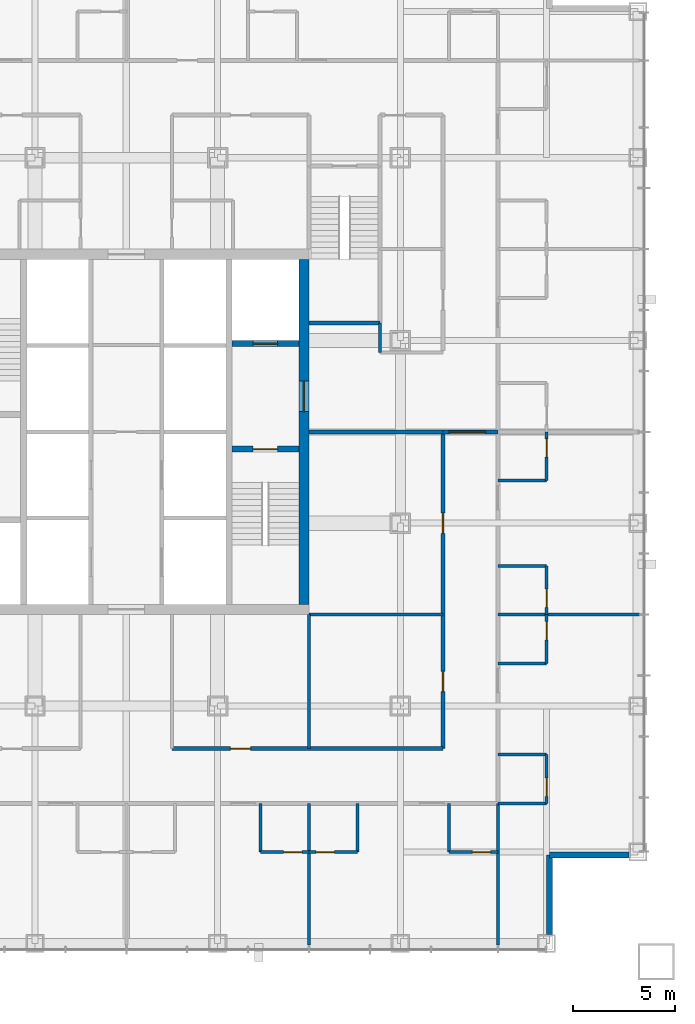
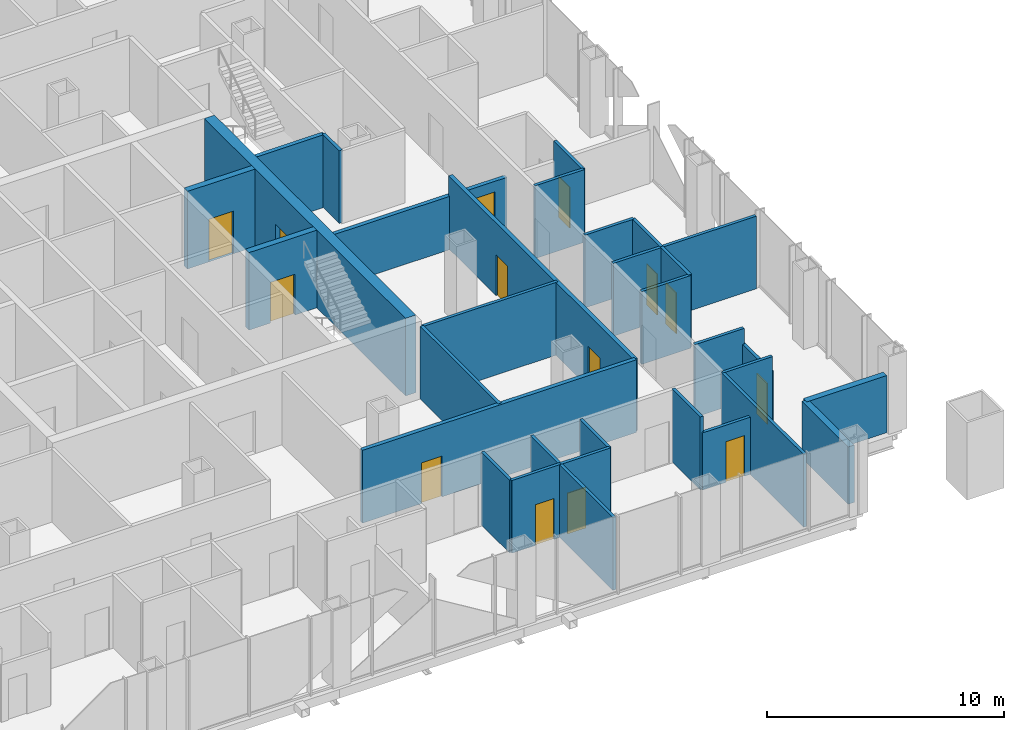
# One storey, part 9 of 13: 31 walls, 14 doors, 14 openings.
"""IFC4 building model written with IfcOpenShell, lengths in metres."""

from ifc_helpers import new_model, si_unit, direction, frame, frame_2d, origin, place, context, subcontext, project, spatial, rectangle, extrude, material, layer, layer_set, type_object, element, fill, save


model = new_model("IFC4")

# Units and contexts
model_context = context("Model", 3, precision=1e-05, world=origin(), true_north=direction((0.0, 1.0)))
body_context = subcontext(model_context, "Body", "Model", "MODEL_VIEW")
ifc_project = project(units=[si_unit("LENGTHUNIT", "METRE"), si_unit("AREAUNIT", "SQUARE_METRE"), si_unit("VOLUMEUNIT", "CUBIC_METRE"), si_unit("PLANEANGLEUNIT", "RADIAN"), si_unit("MASSUNIT", "GRAM", prefix="KILO")], contexts=[model_context])

# Site, building, storey
site_placement = place(None, origin())
site = spatial("IfcSite", under=ifc_project, at=site_placement, CompositionType="ELEMENT")
building_placement = place(site_placement, origin())
building = spatial("IfcBuilding", under=site, at=building_placement, Name="Malebo Sky Hospital", CompositionType="ELEMENT")
storey_placement = place(building_placement, frame((0.0, 0.0, 43.0)))
storey = spatial("IfcBuildingStorey", under=building, at=storey_placement, Name="L09", CompositionType="ELEMENT", Elevation=43.0)

# Wall, opening, door
ifc_material_1 = material(Name="Concrete C80/95", Category="concrete")
ifc_layer_1 = layer(ifc_material_1, 0.300048828125)
ifc_layer_set_1 = layer_set([ifc_layer_1], Name="CORE INNER WALL 300")
wall_type_1 = type_object("IfcWallType", Name="CORE INNER WALL 300", PredefinedType="SHEAR", material=ifc_layer_set_1)
wall_1_placement = place(storey_placement, frame((65.199951171875, 61.14990234375, 0.0), z_axis=(0.0, 0.0, 1.0), x_axis=(1.0, 0.0, 0.0)))
wall_1 = element("IfcWall", 1, at=wall_1_placement, inside=storey, type_object=wall_type_1, Name="Core wall E1 L09", PredefinedType="SHEAR", context=body_context, shape_type="SweptSolid", body=[
    extrude(rectangle(XDim=3.300048828125, YDim=0.300048828125, at=frame_2d((1.64990234375, 0.0))), origin(), (0.0, 0.0, 1.0), 4.0),
])
opening_1_placement = place(wall_1_placement, frame((1.050048828125, 0.0, 0.0)))
opening_1 = element("IfcOpeningElement", 2, at=opening_1_placement, cuts=wall_1, Name="Opening D08", PredefinedType="OPENING", context=body_context, shape_type="SweptSolid", body=[
    extrude(rectangle(XDim=1.199951171875, YDim=2.10009765625, at=frame_2d((0.60009765625, 1.050048828125))), frame((0.0, 0.159912109375, 0.0), z_axis=(0.0, -1.0, 0.0), x_axis=(1.0, 0.0, 0.0)), (0.0, 0.0, 1.0), 0.320068359375),
])
ifc_material_2 = material(Name="Hardwood-faced door leaf in steel frame", Category="steel")
door_type_1 = type_object("IfcDoorType", Name="STAIR DOOR 1200", OperationType="SINGLE_SWING_LEFT", PredefinedType="DOOR", material=ifc_material_2)
door_1_placement = place(opening_1_placement, origin())
door_1 = element("IfcDoor", 3, at=door_1_placement, inside=storey, type_object=door_type_1, Name="Stair S2 door", OperationType="SINGLE_SWING_LEFT", OverallHeight=2.10009765625, OverallWidth=1.199951171875, PredefinedType="DOOR", context=body_context, shape_type="SweptSolid", body=[
    extrude(rectangle(XDim=1.199951171875, YDim=2.10009765625, at=frame_2d((0.60009765625, 1.050048828125))), frame((0.0, 0.02490234375, 0.0), z_axis=(0.0, -1.0, 0.0), x_axis=(1.0, 0.0, 0.0)), (0.0, 0.0, 1.0), 0.050048828125),
])
fill(opening_1, door_1)

wall_2_placement = place(storey_placement, frame((65.199951171875, 66.35009765625, 0.0), z_axis=(0.0, 0.0, 1.0), x_axis=(1.0, 0.0, 0.0)))
wall_2 = element("IfcWall", 4, at=wall_2_placement, inside=storey, type_object=wall_type_1, Name="Core wall E2 L09", PredefinedType="SHEAR", context=body_context, shape_type="SweptSolid", body=[
    extrude(rectangle(XDim=3.300048828125, YDim=0.300048828125, at=frame_2d((1.64990234375, 0.0))), origin(), (0.0, 0.0, 1.0), 4.0),
])
opening_2_placement = place(wall_2_placement, frame((1.050048828125, 0.0, 0.0)))
opening_2 = element("IfcOpeningElement", 5, at=opening_2_placement, cuts=wall_2, Name="Opening LD2", PredefinedType="OPENING", context=body_context, shape_type="SweptSolid", body=[
    extrude(rectangle(XDim=1.199951171875, YDim=2.199951171875, at=frame_2d((0.60009765625, 1.10009765625))), frame((0.0, 0.159912109375, 0.0), z_axis=(0.0, -1.0, 0.0), x_axis=(1.0, 0.0, 0.0)), (0.0, 0.0, 1.0), 0.320068359375),
])
ifc_material_3 = material(Name="Stainless steel sliding landing door", Category="steel")
door_type_2 = type_object("IfcDoorType", Name="FIRE-FIGHTING LIFT LANDING DOOR 1200", OperationType="SLIDING_TO_LEFT", PredefinedType="DOOR", material=ifc_material_3)
door_2_placement = place(opening_2_placement, origin())
door_2 = element("IfcDoor", 6, at=door_2_placement, inside=storey, type_object=door_type_2, Name="Lift FL2 landing door", OperationType="SLIDING_TO_LEFT", OverallHeight=2.199951171875, OverallWidth=1.199951171875, PredefinedType="DOOR", context=body_context, shape_type="SweptSolid", body=[
    extrude(rectangle(XDim=1.199951171875, YDim=2.199951171875, at=frame_2d((0.60009765625, 1.10009765625))), frame((0.0, 0.02490234375, 0.0), z_axis=(0.0, -1.0, 0.0), x_axis=(1.0, 0.0, 0.0)), (0.0, 0.0, 1.0), 0.050048828125),
])
fill(opening_2, door_2)

ifc_layer_2 = layer(ifc_material_1, 0.5)
ifc_layer_set_2 = layer_set([ifc_layer_2], Name="CORE WALL 500")
wall_type_2 = type_object("IfcWallType", Name="CORE WALL 500", PredefinedType="SHEAR", material=ifc_layer_set_2)
wall_3_placement = place(storey_placement, frame((68.75, 53.5, 0.0), z_axis=(0.0, 0.0, 1.0), x_axis=(0.0, 1.0, 0.0)))
wall_3 = element("IfcWall", 7, at=wall_3_placement, inside=storey, type_object=wall_type_2, Name="Core wall E L09", PredefinedType="SHEAR", context=body_context, shape_type="SweptSolid", body=[
    extrude(rectangle(XDim=17.0, YDim=0.5, at=frame_2d((8.5, 0.0))), origin(), (0.0, 0.0, 1.0), 4.0),
])
opening_3_placement = place(wall_3_placement, frame((9.5, 0.0, 0.0)))
opening_3 = element("IfcOpeningElement", 8, at=opening_3_placement, cuts=wall_3, Name="Opening D07", PredefinedType="OPENING", context=body_context, shape_type="SweptSolid", body=[
    extrude(rectangle(XDim=1.5, YDim=2.199951171875, at=frame_2d((0.75, 1.10009765625))), frame((0.0, 0.260009765625, 0.0), z_axis=(0.0, -1.0, 0.0), x_axis=(1.0, 0.0, 0.0)), (0.0, 0.0, 1.0), 0.52001953125),
])
door_type_3 = type_object("IfcDoorType", Name="FIRE-FIGHTING LOBBY DOOR PAIR 1500", OperationType="DOUBLE_DOOR_SINGLE_SWING", PredefinedType="DOOR", material=ifc_material_2)
door_3_placement = place(opening_3_placement, origin())
door_3 = element("IfcDoor", 9, at=door_3_placement, inside=storey, type_object=door_type_3, Name="Fire-fighting lobby door east", OperationType="DOUBLE_DOOR_SINGLE_SWING", OverallHeight=2.199951171875, OverallWidth=1.5, PredefinedType="DOOR", context=body_context, shape_type="SweptSolid", body=[
    extrude(rectangle(XDim=1.5, YDim=2.199951171875, at=frame_2d((0.75, 1.10009765625))), frame((0.0, 0.02490234375, 0.0), z_axis=(0.0, -1.0, 0.0), x_axis=(1.0, 0.0, 0.0)), (0.0, 0.0, 1.0), 0.050048828125),
])
fill(opening_3, door_3)

ifc_material_4 = material(Name="Gypsum board on steel studs", Category="steel")
ifc_layer_3 = layer(ifc_material_4, 0.199951171875)
ifc_layer_set_3 = layer_set([ifc_layer_3], Name="CORRIDOR WALL 200")
wall_type_3 = type_object("IfcWallType", Name="CORRIDOR WALL 200", PredefinedType="PARTITIONING", material=ifc_layer_set_3)
wall_4_placement = place(storey_placement, frame((75.60009765625, 46.39990234375, 0.0), z_axis=(0.0, 0.0, 1.0), x_axis=(-1.0, 0.0, 0.0)))
wall_4 = element("IfcWall", 10, at=wall_4_placement, inside=storey, type_object=wall_type_3, Name="Corridor Wall 200 SCI1", PredefinedType="PARTITIONING", context=body_context, shape_type="SweptSolid", body=[
    extrude(rectangle(XDim=13.35009765625, YDim=0.199951171875, at=frame_2d((6.675048828125, 0.0))), origin(), (0.0, 0.0, 1.0), 3.75),
])
opening_4_placement = place(wall_4_placement, frame((9.47509765625, 0.0, 0.0)))
opening_4 = element("IfcOpeningElement", 11, at=opening_4_placement, cuts=wall_4, Name="Opening D03", PredefinedType="OPENING", context=body_context, shape_type="SweptSolid", body=[
    extrude(rectangle(XDim=1.0, YDim=2.10009765625, at=frame_2d((0.5, 1.050048828125))), frame((0.0, 0.10986328125, 0.0), z_axis=(0.0, -1.0, 0.0), x_axis=(1.0, 0.0, 0.0)), (0.0, 0.0, 1.0), 0.219970703125),
])
door_type_4 = type_object("IfcDoorType", Name="ROOM DOOR 1000", OperationType="SINGLE_SWING_LEFT", PredefinedType="DOOR", material=ifc_material_2)
door_4_placement = place(opening_4_placement, origin())
door_4 = element("IfcDoor", 12, at=door_4_placement, inside=storey, type_object=door_type_4, Name="Treatment room door", OperationType="SINGLE_SWING_LEFT", OverallHeight=2.10009765625, OverallWidth=1.0, PredefinedType="DOOR", context=body_context, shape_type="SweptSolid", body=[
    extrude(rectangle(XDim=1.0, YDim=2.10009765625, at=frame_2d((0.5, 1.050048828125))), frame((0.0, 0.02490234375, 0.0), z_axis=(0.0, -1.0, 0.0), x_axis=(1.0, 0.0, 0.0)), (0.0, 0.0, 1.0), 0.050048828125),
])
fill(opening_4, door_4)

# Wall, openings, doors
wall_5_placement = place(storey_placement, frame((75.60009765625, 62.0, 0.0), z_axis=(0.0, 0.0, 1.0), x_axis=(0.0, -1.0, 0.0)))
wall_5 = element("IfcWall", 13, at=wall_5_placement, inside=storey, type_object=wall_type_3, Name="Corridor Wall 200 ECI2", PredefinedType="PARTITIONING", context=body_context, shape_type="SweptSolid", body=[
    extrude(rectangle(XDim=15.60009765625, YDim=0.199951171875, at=frame_2d((7.800048828125, 0.0))), origin(), (0.0, 0.0, 1.0), 3.75),
])
opening_5_placement = place(wall_5_placement, frame((4.0, 0.0, 0.0)))
opening_5 = element("IfcOpeningElement", 14, at=opening_5_placement, cuts=wall_5, Name="Opening D03", PredefinedType="OPENING", context=body_context, shape_type="SweptSolid", body=[
    extrude(rectangle(XDim=1.0, YDim=2.10009765625, at=frame_2d((0.5, 1.050048828125))), frame((0.0, 0.10986328125, 0.0), z_axis=(0.0, -1.0, 0.0), x_axis=(1.0, 0.0, 0.0)), (0.0, 0.0, 1.0), 0.219970703125),
])
opening_6_placement = place(wall_5_placement, frame((11.800048828125, 0.0, 0.0)))
opening_6 = element("IfcOpeningElement", 15, at=opening_6_placement, cuts=wall_5, Name="Opening D03", PredefinedType="OPENING", context=body_context, shape_type="SweptSolid", body=[
    extrude(rectangle(XDim=1.0, YDim=2.10009765625, at=frame_2d((0.5, 1.050048828125))), frame((0.0, 0.10986328125, 0.0), z_axis=(0.0, -1.0, 0.0), x_axis=(1.0, 0.0, 0.0)), (0.0, 0.0, 1.0), 0.219970703125),
])
door_5_placement = place(opening_5_placement, origin())
door_5 = element("IfcDoor", 16, at=door_5_placement, inside=storey, type_object=door_type_4, Name="Staff rest room door", OperationType="SINGLE_SWING_LEFT", OverallHeight=2.10009765625, OverallWidth=1.0, PredefinedType="DOOR", context=body_context, shape_type="SweptSolid", body=[
    extrude(rectangle(XDim=1.0, YDim=2.10009765625, at=frame_2d((0.5, 1.050048828125))), frame((0.0, 0.02490234375, 0.0), z_axis=(0.0, -1.0, 0.0), x_axis=(1.0, 0.0, 0.0)), (0.0, 0.0, 1.0), 0.050048828125),
])
fill(opening_5, door_5)
door_6_placement = place(opening_6_placement, origin())
door_6 = element("IfcDoor", 17, at=door_6_placement, inside=storey, type_object=door_type_4, Name="Dirty utility room door", OperationType="SINGLE_SWING_RIGHT", OverallHeight=2.10009765625, OverallWidth=1.0, PredefinedType="DOOR", context=body_context, shape_type="SweptSolid", body=[
    extrude(rectangle(XDim=1.0, YDim=2.10009765625, at=frame_2d((0.5, 1.050048828125))), frame((0.0, 0.02490234375, 0.0), z_axis=(0.0, -1.0, 0.0), x_axis=(1.0, 0.0, 0.0)), (0.0, 0.0, 1.0), 0.050048828125),
])
fill(opening_6, door_6)

# Walls
ifc_material_5 = material(Name="Anodised aluminium rainscreen on steel framing", Category="steel")
ifc_layer_4 = layer(ifc_material_5, 0.300048828125)
ifc_layer_set_4 = layer_set([ifc_layer_4], Name="NOTCH RAINSCREEN WALL 300")
wall_type_4 = type_object("IfcWallType", Name="NOTCH RAINSCREEN WALL 300", PredefinedType="ELEMENTEDWALL", material=ifc_layer_set_4)
for number, where, z_axis, x_axis, name in (
    (18, (84.75, 41.14990234375, 0.0), (0.0, 0.0, 1.0), (-1.0, 0.0, 0.0), "Notch rainscreen wall E1 L09"),
    (19, (80.85009765625, 41.14990234375, 0.0), (0.0, 0.0, 1.0), (0.0, -1.0, 0.0), "Notch rainscreen wall E2 L09"),
):
    element("IfcWall", number, at=place(storey_placement, frame(where, z_axis=z_axis, x_axis=x_axis)), inside=storey, type_object=wall_type_4, Name=name, PredefinedType="ELEMENTEDWALL", context=body_context, shape_type="SweptSolid", body=[
        extrude(rectangle(XDim=3.89990234375, YDim=0.300048828125, at=frame_2d((1.949951171875, 0.0))), origin(), (0.0, 0.0, 1.0), 2.949951171875),
    ])
ifc_layer_5 = layer(ifc_material_4, 0.14990234375)
ifc_layer_set_5 = layer_set([ifc_layer_5], Name="PARTITION 150")
wall_type_5 = type_object("IfcWallType", Name="PARTITION 150", PredefinedType="PARTITIONING", material=ifc_layer_set_5)
for number, where, z_axis, x_axis, name in (
    (20, (69.0, 43.699951171875, 0.0), (0.0, 0.0, 1.0), (0.0, -1.0, 0.0), "Partition 150 SP-9.0"),
    (21, (78.300048828125, 43.699951171875, 0.0), (0.0, 0.0, 1.0), (0.0, -1.0, 0.0), "Partition 150 SP0"),
):
    element("IfcWall", number, at=place(storey_placement, frame(where, z_axis=z_axis, x_axis=x_axis)), inside=storey, type_object=wall_type_5, Name=name, PredefinedType="PARTITIONING", context=body_context, shape_type="SweptSolid", body=[
        extrude(rectangle(XDim=6.974853515625, YDim=0.14990234375, at=frame_2d((3.4873046875, 0.0))), origin(), (0.0, 0.0, 1.0), 3.75),
    ])

# Wall, opening, door
wall_6_placement = place(storey_placement, frame((78.300048828125, 41.300048828125, 0.0), z_axis=(0.0, 0.0, 1.0), x_axis=(-1.0, 0.0, 0.0)))
wall_6 = element("IfcWall", 22, at=wall_6_placement, inside=storey, type_object=wall_type_5, Name="Partition 150 SE0F", PredefinedType="PARTITIONING", context=body_context, shape_type="SweptSolid", body=[
    extrude(rectangle(XDim=2.400146484375, YDim=0.14990234375, at=frame_2d((1.2001953125, 0.0))), origin(), (0.0, 0.0, 1.0), 2.949951171875),
])
opening_7_placement = place(wall_6_placement, frame((0.35009765625, 0.0, 0.0)))
opening_7 = element("IfcOpeningElement", 23, at=opening_7_placement, cuts=wall_6, Name="Opening D02", PredefinedType="OPENING", context=body_context, shape_type="SweptSolid", body=[
    extrude(rectangle(XDim=0.89990234375, YDim=2.10009765625, at=frame_2d((0.449951171875, 1.050048828125))), frame((0.0, 0.0849609375, 0.0), z_axis=(0.0, -1.0, 0.0), x_axis=(1.0, 0.0, 0.0)), (0.0, 0.0, 1.0), 0.169921875),
])
door_type_5 = type_object("IfcDoorType", Name="EN-SUITE DOOR 900", OperationType="SINGLE_SWING_LEFT", PredefinedType="DOOR", material=ifc_material_2)
door_7_placement = place(opening_7_placement, origin())
door_7 = element("IfcDoor", 24, at=door_7_placement, inside=storey, type_object=door_type_5, Name="En-suite door", OperationType="SINGLE_SWING_LEFT", OverallHeight=2.10009765625, OverallWidth=0.89990234375, PredefinedType="DOOR", context=body_context, shape_type="SweptSolid", body=[
    extrude(rectangle(XDim=0.89990234375, YDim=2.10009765625, at=frame_2d((0.449951171875, 1.050048828125))), frame((0.0, 0.02490234375, 0.0), z_axis=(0.0, -1.0, 0.0), x_axis=(1.0, 0.0, 0.0)), (0.0, 0.0, 1.0), 0.050048828125),
])
fill(opening_7, door_7)

# Wall
wall_7_placement = place(storey_placement, frame((75.89990234375, 43.699951171875, 0.0), z_axis=(0.0, 0.0, 1.0), x_axis=(0.0, -1.0, 0.0)))
element("IfcWall", 25, at=wall_7_placement, inside=storey, type_object=wall_type_5, Name="Partition 150 SE0S", PredefinedType="PARTITIONING", context=body_context, shape_type="SweptSolid", body=[
    extrude(rectangle(XDim=2.39990234375, YDim=0.14990234375, at=frame_2d((1.199951171875, 0.0))), origin(), (0.0, 0.0, 1.0), 3.75),
])

# Wall, opening, door
wall_8_placement = place(storey_placement, frame((71.39990234375, 41.300048828125, 0.0), z_axis=(0.0, 0.0, 1.0), x_axis=(-1.0, 0.0, 0.0)))
wall_8 = element("IfcWall", 26, at=wall_8_placement, inside=storey, type_object=wall_type_5, Name="Partition 150 SG0F", PredefinedType="PARTITIONING", context=body_context, shape_type="SweptSolid", body=[
    extrude(rectangle(XDim=2.39990234375, YDim=0.14990234375, at=frame_2d((1.199951171875, 0.0))), origin(), (0.0, 0.0, 1.0), 3.75),
])
opening_8_placement = place(wall_8_placement, frame((1.14990234375, 0.0, 0.0)))
opening_8 = element("IfcOpeningElement", 27, at=opening_8_placement, cuts=wall_8, Name="Opening D02", PredefinedType="OPENING", context=body_context, shape_type="SweptSolid", body=[
    extrude(rectangle(XDim=0.89990234375, YDim=2.10009765625, at=frame_2d((0.449951171875, 1.050048828125))), frame((0.0, 0.0849609375, 0.0), z_axis=(0.0, -1.0, 0.0), x_axis=(1.0, 0.0, 0.0)), (0.0, 0.0, 1.0), 0.169921875),
])
door_8_placement = place(opening_8_placement, origin())
door_8 = element("IfcDoor", 28, at=door_8_placement, inside=storey, type_object=door_type_5, Name="En-suite door", OperationType="SINGLE_SWING_RIGHT", OverallHeight=2.10009765625, OverallWidth=0.89990234375, PredefinedType="DOOR", context=body_context, shape_type="SweptSolid", body=[
    extrude(rectangle(XDim=0.89990234375, YDim=2.10009765625, at=frame_2d((0.449951171875, 1.050048828125))), frame((0.0, 0.02490234375, 0.0), z_axis=(0.0, -1.0, 0.0), x_axis=(1.0, 0.0, 0.0)), (0.0, 0.0, 1.0), 0.050048828125),
])
fill(opening_8, door_8)

# Wall
wall_9_placement = place(storey_placement, frame((71.39990234375, 43.699951171875, 0.0), z_axis=(0.0, 0.0, 1.0), x_axis=(0.0, -1.0, 0.0)))
element("IfcWall", 29, at=wall_9_placement, inside=storey, type_object=wall_type_5, Name="Partition 150 SG0S", PredefinedType="PARTITIONING", context=body_context, shape_type="SweptSolid", body=[
    extrude(rectangle(XDim=2.39990234375, YDim=0.14990234375, at=frame_2d((1.199951171875, 0.0))), origin(), (0.0, 0.0, 1.0), 3.75),
])

# Wall, opening, door
wall_10_placement = place(storey_placement, frame((69.0, 41.300048828125, 0.0), z_axis=(0.0, 0.0, 1.0), x_axis=(-1.0, 0.0, 0.0)))
wall_10 = element("IfcWall", 30, at=wall_10_placement, inside=storey, type_object=wall_type_5, Name="Partition 150 SE1F", PredefinedType="PARTITIONING", context=body_context, shape_type="SweptSolid", body=[
    extrude(rectangle(XDim=2.39990234375, YDim=0.14990234375, at=frame_2d((1.199951171875, 0.0))), origin(), (0.0, 0.0, 1.0), 3.75),
])
opening_9_placement = place(wall_10_placement, frame((0.35009765625, 0.0, 0.0)))
opening_9 = element("IfcOpeningElement", 31, at=opening_9_placement, cuts=wall_10, Name="Opening D02", PredefinedType="OPENING", context=body_context, shape_type="SweptSolid", body=[
    extrude(rectangle(XDim=0.89990234375, YDim=2.10009765625, at=frame_2d((0.449951171875, 1.050048828125))), frame((0.0, 0.0849609375, 0.0), z_axis=(0.0, -1.0, 0.0), x_axis=(1.0, 0.0, 0.0)), (0.0, 0.0, 1.0), 0.169921875),
])
door_9_placement = place(opening_9_placement, origin())
door_9 = element("IfcDoor", 32, at=door_9_placement, inside=storey, type_object=door_type_5, Name="En-suite door", OperationType="SINGLE_SWING_LEFT", OverallHeight=2.10009765625, OverallWidth=0.89990234375, PredefinedType="DOOR", context=body_context, shape_type="SweptSolid", body=[
    extrude(rectangle(XDim=0.89990234375, YDim=2.10009765625, at=frame_2d((0.449951171875, 1.050048828125))), frame((0.0, 0.02490234375, 0.0), z_axis=(0.0, -1.0, 0.0), x_axis=(1.0, 0.0, 0.0)), (0.0, 0.0, 1.0), 0.050048828125),
])
fill(opening_9, door_9)

# Walls
wall_11_placement = place(storey_placement, frame((66.60009765625, 43.699951171875, 0.0), z_axis=(0.0, 0.0, 1.0), x_axis=(0.0, -1.0, 0.0)))
element("IfcWall", 33, at=wall_11_placement, inside=storey, type_object=wall_type_5, Name="Partition 150 SE1S", PredefinedType="PARTITIONING", context=body_context, shape_type="SweptSolid", body=[
    extrude(rectangle(XDim=2.39990234375, YDim=0.14990234375, at=frame_2d((1.199951171875, 0.0))), origin(), (0.0, 0.0, 1.0), 3.75),
])
wall_12_placement = place(storey_placement, frame((69.0, 53.0, 0.0), z_axis=(0.0, 0.0, 1.0), x_axis=(0.0, -1.0, 0.0)))
element("IfcWall", 34, at=wall_12_placement, inside=storey, type_object=wall_type_5, Name="Partition 150 SSP0", PredefinedType="PARTITIONING", context=body_context, shape_type="SweptSolid", body=[
    extrude(rectangle(XDim=6.60009765625, YDim=0.14990234375, at=frame_2d((3.300048828125, 0.0))), origin(), (0.0, 0.0, 1.0), 3.75),
])
wall_13_placement = place(storey_placement, frame((78.300048828125, 53.0, 0.0), z_axis=(0.0, 0.0, 1.0), x_axis=(1.0, 0.0, 0.0)))
element("IfcWall", 35, at=wall_13_placement, inside=storey, type_object=wall_type_5, Name="Partition 150 EP+9.0", PredefinedType="PARTITIONING", context=body_context, shape_type="SweptSolid", body=[
    extrude(rectangle(XDim=6.974853515625, YDim=0.14990234375, at=frame_2d((3.4873046875, 0.0))), origin(), (0.0, 0.0, 1.0), 3.75),
])

# Wall, opening, door
wall_14_placement = place(storey_placement, frame((80.699951171875, 62.0, 0.0), z_axis=(0.0, 0.0, 1.0), x_axis=(0.0, -1.0, 0.0)))
wall_14 = element("IfcWall", 36, at=wall_14_placement, inside=storey, type_object=wall_type_5, Name="Partition 150 EE2F", PredefinedType="PARTITIONING", context=body_context, shape_type="SweptSolid", body=[
    extrude(rectangle(XDim=2.39990234375, YDim=0.14990234375, at=frame_2d((1.199951171875, 0.0))), origin(), (0.0, 0.0, 1.0), 3.75),
])
opening_10_placement = place(wall_14_placement, frame((0.35009765625, 0.0, 0.0)))
opening_10 = element("IfcOpeningElement", 37, at=opening_10_placement, cuts=wall_14, Name="Opening D02", PredefinedType="OPENING", context=body_context, shape_type="SweptSolid", body=[
    extrude(rectangle(XDim=0.89990234375, YDim=2.10009765625, at=frame_2d((0.449951171875, 1.050048828125))), frame((0.0, 0.0849609375, 0.0), z_axis=(0.0, -1.0, 0.0), x_axis=(1.0, 0.0, 0.0)), (0.0, 0.0, 1.0), 0.169921875),
])
door_10_placement = place(opening_10_placement, origin())
door_10 = element("IfcDoor", 38, at=door_10_placement, inside=storey, type_object=door_type_5, Name="En-suite door", OperationType="SINGLE_SWING_LEFT", OverallHeight=2.10009765625, OverallWidth=0.89990234375, PredefinedType="DOOR", context=body_context, shape_type="SweptSolid", body=[
    extrude(rectangle(XDim=0.89990234375, YDim=2.10009765625, at=frame_2d((0.449951171875, 1.050048828125))), frame((0.0, 0.02490234375, 0.0), z_axis=(0.0, -1.0, 0.0), x_axis=(1.0, 0.0, 0.0)), (0.0, 0.0, 1.0), 0.050048828125),
])
fill(opening_10, door_10)

# Wall
wall_15_placement = place(storey_placement, frame((78.300048828125, 59.60009765625, 0.0), z_axis=(0.0, 0.0, 1.0), x_axis=(1.0, 0.0, 0.0)))
element("IfcWall", 39, at=wall_15_placement, inside=storey, type_object=wall_type_5, Name="Partition 150 EE2S", PredefinedType="PARTITIONING", context=body_context, shape_type="SweptSolid", body=[
    extrude(rectangle(XDim=2.39990234375, YDim=0.14990234375, at=frame_2d((1.199951171875, 0.0))), origin(), (0.0, 0.0, 1.0), 3.75),
])

# Wall, opening, door
wall_16_placement = place(storey_placement, frame((80.699951171875, 55.39990234375, 0.0), z_axis=(0.0, 0.0, 1.0), x_axis=(0.0, -1.0, 0.0)))
wall_16 = element("IfcWall", 40, at=wall_16_placement, inside=storey, type_object=wall_type_5, Name="Partition 150 EG2F", PredefinedType="PARTITIONING", context=body_context, shape_type="SweptSolid", body=[
    extrude(rectangle(XDim=2.39990234375, YDim=0.14990234375, at=frame_2d((1.199951171875, 0.0))), origin(), (0.0, 0.0, 1.0), 3.75),
])
opening_11_placement = place(wall_16_placement, frame((1.14990234375, 0.0, 0.0)))
opening_11 = element("IfcOpeningElement", 41, at=opening_11_placement, cuts=wall_16, Name="Opening D02", PredefinedType="OPENING", context=body_context, shape_type="SweptSolid", body=[
    extrude(rectangle(XDim=0.89990234375, YDim=2.10009765625, at=frame_2d((0.449951171875, 1.050048828125))), frame((0.0, 0.0849609375, 0.0), z_axis=(0.0, -1.0, 0.0), x_axis=(1.0, 0.0, 0.0)), (0.0, 0.0, 1.0), 0.169921875),
])
door_11_placement = place(opening_11_placement, origin())
door_11 = element("IfcDoor", 42, at=door_11_placement, inside=storey, type_object=door_type_5, Name="En-suite door", OperationType="SINGLE_SWING_RIGHT", OverallHeight=2.10009765625, OverallWidth=0.89990234375, PredefinedType="DOOR", context=body_context, shape_type="SweptSolid", body=[
    extrude(rectangle(XDim=0.89990234375, YDim=2.10009765625, at=frame_2d((0.449951171875, 1.050048828125))), frame((0.0, 0.02490234375, 0.0), z_axis=(0.0, -1.0, 0.0), x_axis=(1.0, 0.0, 0.0)), (0.0, 0.0, 1.0), 0.050048828125),
])
fill(opening_11, door_11)

# Wall
wall_17_placement = place(storey_placement, frame((78.300048828125, 55.39990234375, 0.0), z_axis=(0.0, 0.0, 1.0), x_axis=(1.0, 0.0, 0.0)))
element("IfcWall", 43, at=wall_17_placement, inside=storey, type_object=wall_type_5, Name="Partition 150 EG2S", PredefinedType="PARTITIONING", context=body_context, shape_type="SweptSolid", body=[
    extrude(rectangle(XDim=2.39990234375, YDim=0.14990234375, at=frame_2d((1.199951171875, 0.0))), origin(), (0.0, 0.0, 1.0), 3.75),
])

# Wall, opening, door
wall_18_placement = place(storey_placement, frame((80.699951171875, 53.0, 0.0), z_axis=(0.0, 0.0, 1.0), x_axis=(0.0, -1.0, 0.0)))
wall_18 = element("IfcWall", 44, at=wall_18_placement, inside=storey, type_object=wall_type_5, Name="Partition 150 EE3F", PredefinedType="PARTITIONING", context=body_context, shape_type="SweptSolid", body=[
    extrude(rectangle(XDim=2.39990234375, YDim=0.14990234375, at=frame_2d((1.199951171875, 0.0))), origin(), (0.0, 0.0, 1.0), 3.75),
])
opening_12_placement = place(wall_18_placement, frame((0.35009765625, 0.0, 0.0)))
opening_12 = element("IfcOpeningElement", 45, at=opening_12_placement, cuts=wall_18, Name="Opening D02", PredefinedType="OPENING", context=body_context, shape_type="SweptSolid", body=[
    extrude(rectangle(XDim=0.89990234375, YDim=2.10009765625, at=frame_2d((0.449951171875, 1.050048828125))), frame((0.0, 0.0849609375, 0.0), z_axis=(0.0, -1.0, 0.0), x_axis=(1.0, 0.0, 0.0)), (0.0, 0.0, 1.0), 0.169921875),
])
door_12_placement = place(opening_12_placement, origin())
door_12 = element("IfcDoor", 46, at=door_12_placement, inside=storey, type_object=door_type_5, Name="En-suite door", OperationType="SINGLE_SWING_LEFT", OverallHeight=2.10009765625, OverallWidth=0.89990234375, PredefinedType="DOOR", context=body_context, shape_type="SweptSolid", body=[
    extrude(rectangle(XDim=0.89990234375, YDim=2.10009765625, at=frame_2d((0.449951171875, 1.050048828125))), frame((0.0, 0.02490234375, 0.0), z_axis=(0.0, -1.0, 0.0), x_axis=(1.0, 0.0, 0.0)), (0.0, 0.0, 1.0), 0.050048828125),
])
fill(opening_12, door_12)

# Wall
wall_19_placement = place(storey_placement, frame((78.300048828125, 50.60009765625, 0.0), z_axis=(0.0, 0.0, 1.0), x_axis=(1.0, 0.0, 0.0)))
element("IfcWall", 47, at=wall_19_placement, inside=storey, type_object=wall_type_5, Name="Partition 150 EE3S", PredefinedType="PARTITIONING", context=body_context, shape_type="SweptSolid", body=[
    extrude(rectangle(XDim=2.39990234375, YDim=0.14990234375, at=frame_2d((1.199951171875, 0.0))), origin(), (0.0, 0.0, 1.0), 3.75),
])

# Wall, opening, door
wall_20_placement = place(storey_placement, frame((80.699951171875, 46.10009765625, 0.0), z_axis=(0.0, 0.0, 1.0), x_axis=(0.0, -1.0, 0.0)))
wall_20 = element("IfcWall", 48, at=wall_20_placement, inside=storey, type_object=wall_type_5, Name="Partition 150 EG3F", PredefinedType="PARTITIONING", context=body_context, shape_type="SweptSolid", body=[
    extrude(rectangle(XDim=2.400146484375, YDim=0.14990234375, at=frame_2d((1.2001953125, 0.0))), origin(), (0.0, 0.0, 1.0), 2.949951171875),
])
opening_13_placement = place(wall_20_placement, frame((1.14990234375, 0.0, 0.0)))
opening_13 = element("IfcOpeningElement", 49, at=opening_13_placement, cuts=wall_20, Name="Opening D02", PredefinedType="OPENING", context=body_context, shape_type="SweptSolid", body=[
    extrude(rectangle(XDim=0.89990234375, YDim=2.10009765625, at=frame_2d((0.449951171875, 1.050048828125))), frame((0.0, 0.0849609375, 0.0), z_axis=(0.0, -1.0, 0.0), x_axis=(1.0, 0.0, 0.0)), (0.0, 0.0, 1.0), 0.169921875),
])
door_13_placement = place(opening_13_placement, origin())
door_13 = element("IfcDoor", 50, at=door_13_placement, inside=storey, type_object=door_type_5, Name="En-suite door", OperationType="SINGLE_SWING_RIGHT", OverallHeight=2.10009765625, OverallWidth=0.89990234375, PredefinedType="DOOR", context=body_context, shape_type="SweptSolid", body=[
    extrude(rectangle(XDim=0.89990234375, YDim=2.10009765625, at=frame_2d((0.449951171875, 1.050048828125))), frame((0.0, 0.02490234375, 0.0), z_axis=(0.0, -1.0, 0.0), x_axis=(1.0, 0.0, 0.0)), (0.0, 0.0, 1.0), 0.050048828125),
])
fill(opening_13, door_13)

# Walls
for number, where, z_axis, x_axis, name in (
    (51, (78.300048828125, 46.10009765625, 0.0), (0.0, 0.0, 1.0), (1.0, 0.0, 0.0), "Partition 150 EG3S"),
    (52, (78.300048828125, 43.699951171875, 0.0), (0.0, 0.0, 1.0), (1.0, 0.0, 0.0), "Partition 150 EEZ"),
):
    element("IfcWall", number, at=place(storey_placement, frame(where, z_axis=z_axis, x_axis=x_axis)), inside=storey, type_object=wall_type_5, Name=name, PredefinedType="PARTITIONING", context=body_context, shape_type="SweptSolid", body=[
        extrude(rectangle(XDim=2.39990234375, YDim=0.14990234375, at=frame_2d((1.199951171875, 0.0))), origin(), (0.0, 0.0, 1.0), 3.75),
    ])
wall_21_placement = place(storey_placement, frame((69.0, 53.0, 0.0), z_axis=(0.0, 0.0, 1.0), x_axis=(1.0, 0.0, 0.0)))
element("IfcWall", 53, at=wall_21_placement, inside=storey, type_object=wall_type_5, Name="Partition 150 ESP+9.0", PredefinedType="PARTITIONING", context=body_context, shape_type="SweptSolid", body=[
    extrude(rectangle(XDim=6.60009765625, YDim=0.14990234375, at=frame_2d((3.300048828125, 0.0))), origin(), (0.0, 0.0, 1.0), 3.75),
])
wall_22_placement = place(storey_placement, frame((72.5, 65.89990234375, 0.0), z_axis=(0.0, 0.0, 1.0), x_axis=(0.0, 1.0, 0.0)))
element("IfcWall", 54, at=wall_22_placement, inside=storey, type_object=wall_type_5, Name="Partition 150 ST3C", PredefinedType="PARTITIONING", context=body_context, shape_type="SweptSolid", body=[
    extrude(rectangle(XDim=1.4501953125, YDim=0.14990234375, at=frame_2d((0.72509765625, 0.0))), origin(), (0.0, 0.0, 1.0), 3.75),
])
ifc_material_6 = material(Name="Concrete blockwork", Category="masonry")
ifc_layer_6 = layer(ifc_material_6, 0.199951171875)
ifc_layer_set_6 = layer_set([ifc_layer_6], Name="SMOKE BARRIER WALL 200")
wall_type_6 = type_object("IfcWallType", Name="SMOKE BARRIER WALL 200", PredefinedType="SOLIDWALL", material=ifc_layer_set_6)
wall_23_placement = place(storey_placement, frame((69.0, 62.0, 0.0), z_axis=(0.0, 0.0, 1.0), x_axis=(1.0, 0.0, 0.0)))
element("IfcWall", 55, at=wall_23_placement, inside=storey, type_object=wall_type_6, Name="Smoke Barrier Wall 200 ESPB", PredefinedType="SOLIDWALL", context=body_context, shape_type="SweptSolid", body=[
    extrude(rectangle(XDim=6.60009765625, YDim=0.199951171875, at=frame_2d((3.300048828125, 0.0))), origin(), (0.0, 0.0, 1.0), 2.75),
])

# Wall, opening, door
wall_24_placement = place(storey_placement, frame((75.60009765625, 62.0, 0.0), z_axis=(0.0, 0.0, 1.0), x_axis=(1.0, 0.0, 0.0)))
wall_24 = element("IfcWall", 56, at=wall_24_placement, inside=storey, type_object=wall_type_6, Name="Smoke Barrier Wall 200 ESB", PredefinedType="SOLIDWALL", context=body_context, shape_type="SweptSolid", body=[
    extrude(rectangle(XDim=2.699951171875, YDim=0.199951171875, at=frame_2d((1.35009765625, 0.0))), origin(), (0.0, 0.0, 1.0), 2.75),
])
opening_14_placement = place(wall_24_placement, frame((0.300048828125, 0.0, 0.0)))
opening_14 = element("IfcOpeningElement", 57, at=opening_14_placement, cuts=wall_24, Name="Opening D05", PredefinedType="OPENING", context=body_context, shape_type="SweptSolid", body=[
    extrude(rectangle(XDim=1.800048828125, YDim=2.199951171875, at=frame_2d((0.89990234375, 1.10009765625))), frame((0.0, 0.10986328125, 0.0), z_axis=(0.0, -1.0, 0.0), x_axis=(1.0, 0.0, 0.0)), (0.0, 0.0, 1.0), 0.219970703125),
])
door_type_6 = type_object("IfcDoorType", Name="SMOKE DOOR PAIR 1800", OperationType="DOUBLE_DOOR_DOUBLE_SWING", PredefinedType="DOOR", material=ifc_material_2)
door_14_placement = place(opening_14_placement, origin())
door_14 = element("IfcDoor", 58, at=door_14_placement, inside=storey, type_object=door_type_6, Name="Smoke compartment door pair", OperationType="DOUBLE_DOOR_DOUBLE_SWING", OverallHeight=2.199951171875, OverallWidth=1.800048828125, PredefinedType="DOOR", context=body_context, shape_type="SweptSolid", body=[
    extrude(rectangle(XDim=1.800048828125, YDim=2.199951171875, at=frame_2d((0.89990234375, 1.10009765625))), frame((0.0, 0.02490234375, 0.0), z_axis=(0.0, -1.0, 0.0), x_axis=(1.0, 0.0, 0.0)), (0.0, 0.0, 1.0), 0.050048828125),
])
fill(opening_14, door_14)

# Wall
ifc_material_7 = material(Name="Concrete C40/50", Category="concrete")
ifc_layer_7 = layer(ifc_material_7, 0.199951171875)
ifc_layer_set_7 = layer_set([ifc_layer_7], Name="STAIR ENCLOSURE WALL 200")
wall_type_7 = type_object("IfcWallType", Name="STAIR ENCLOSURE WALL 200", PredefinedType="SOLIDWALL", material=ifc_layer_set_7)
wall_25_placement = place(storey_placement, frame((69.0, 67.35009765625, 0.0), z_axis=(0.0, 0.0, 1.0), x_axis=(1.0, 0.0, 0.0)))
element("IfcWall", 59, at=wall_25_placement, inside=storey, type_object=wall_type_7, Name="Stair Enclosure Wall 200 ST3S", PredefinedType="SOLIDWALL", context=body_context, shape_type="SweptSolid", body=[
    extrude(rectangle(XDim=3.5, YDim=0.199951171875, at=frame_2d((1.75, 0.0))), origin(), (0.0, 0.0, 1.0), 3.75),
])

save(model, "model.ifc")
